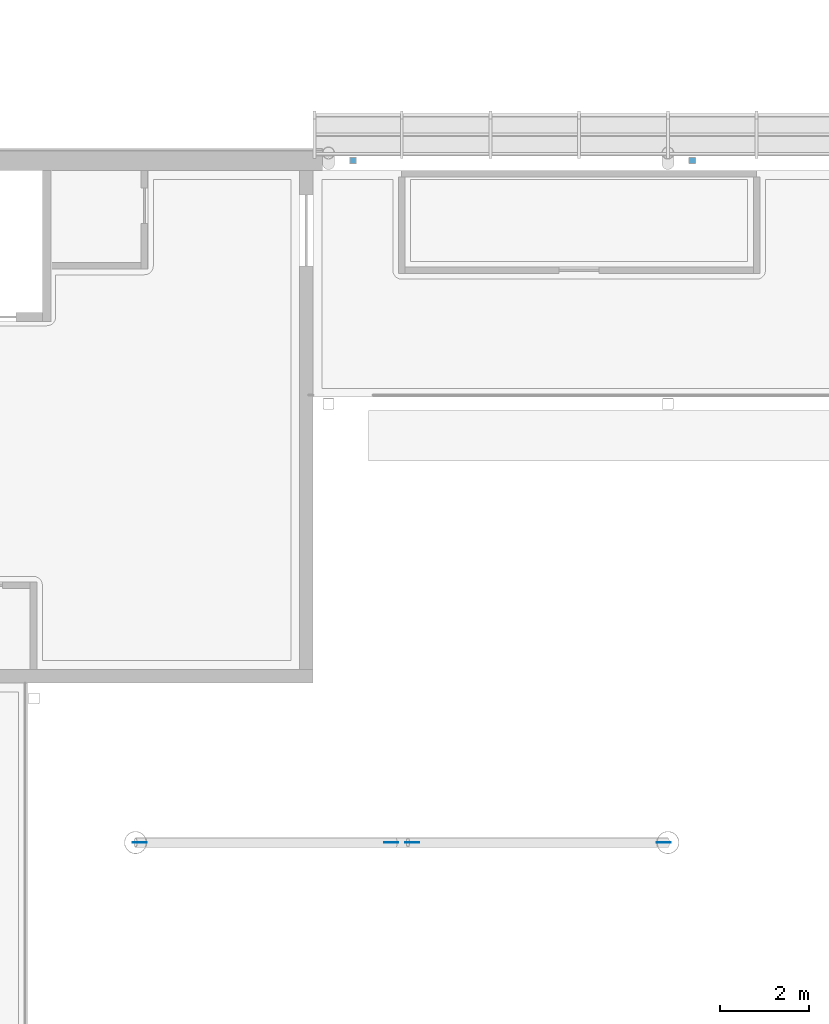
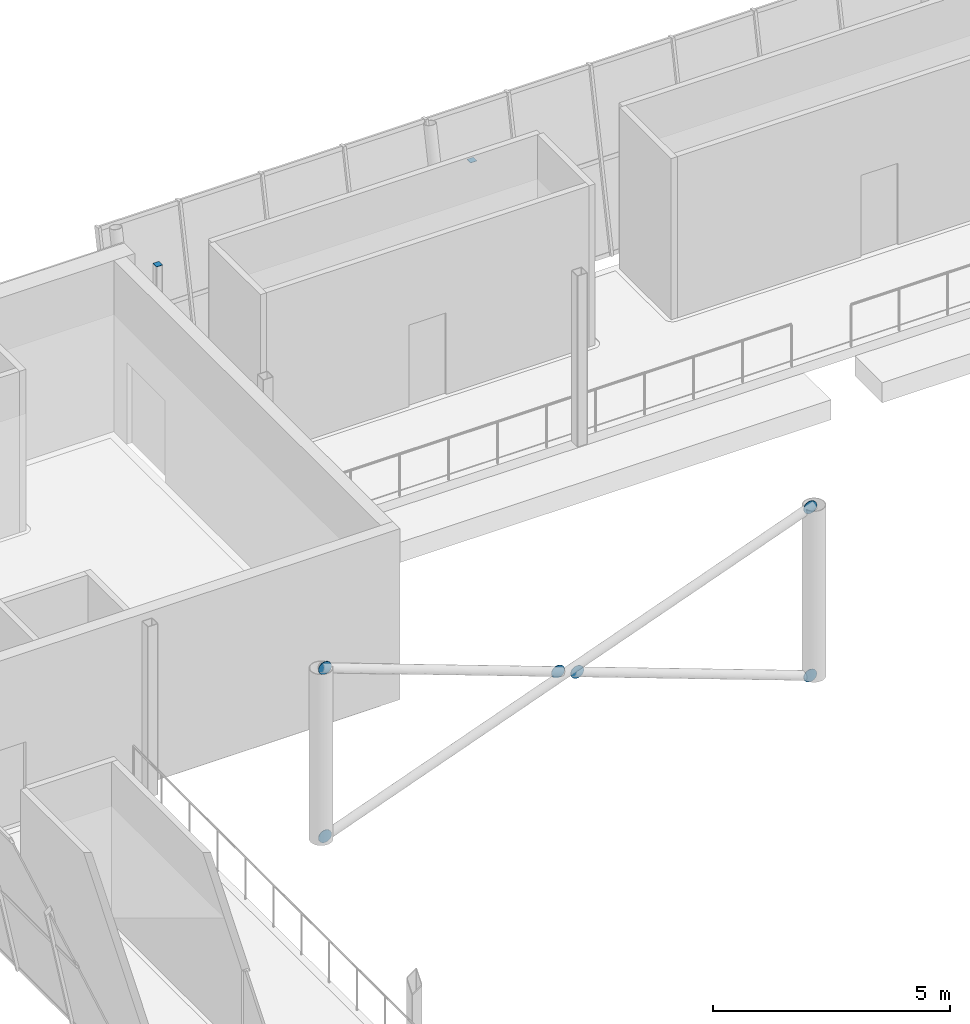
# One storey, part 86 of 115: 8 discrete accessories.
"""IFC4 building model written with IfcOpenShell, lengths in metres."""

from ifc_helpers import new_model, si_unit, direction, frame, origin, origin_2d, place, context, subcontext, project, spatial, rectangle, circle, extrude, material, layer, layer_set, type_object, element, save


model = new_model("IFC4")

# Units and contexts
model_context = context("Model", 3, precision=1e-05, world=origin(), true_north=direction((0.0, 1.0)))
body_context = subcontext(model_context, "Body", "Model", "MODEL_VIEW")
ifc_project = project(units=[si_unit("LENGTHUNIT", "METRE"), si_unit("AREAUNIT", "SQUARE_METRE"), si_unit("VOLUMEUNIT", "CUBIC_METRE"), si_unit("PLANEANGLEUNIT", "RADIAN"), si_unit("MASSUNIT", "GRAM", prefix="KILO")], contexts=[model_context])

# Site, building, storey
site_placement = place(None, origin())
site = spatial("IfcSite", under=ifc_project, at=site_placement, CompositionType="ELEMENT")
building_placement = place(site_placement, origin())
building = spatial("IfcBuilding", under=site, at=building_placement, Name="Windward Yard Aquatics Centre", CompositionType="ELEMENT")
storey_placement = place(building_placement, frame((0.0, 0.0, 5.0)))
storey = spatial("IfcBuildingStorey", under=building, at=storey_placement, Name="L01", CompositionType="ELEMENT", Elevation=5.0)

# Discrete accessories
ifc_material = material(Name="Steel S355", Category="steel")
ifc_layer_1 = layer(ifc_material, 0.010009765625)
ifc_layer_set_1 = layer_set([ifc_layer_1], Name="End cap plate 10 mm RHS152.4x152.4x12.7")
discrete_accessory_type_1 = type_object("IfcDiscreteAccessoryType", Name="End cap plate 10 mm RHS152.4x152.4x12.7", PredefinedType="USERDEFINED", material=ifc_layer_set_1)
for number, where, z_axis, x_axis, name in (
    (1, (64.89990234375, 95.77490234375, 3.742919921875), (0.0, 0.0, 1.0), (1.0, 0.0, 0.0), "End cap"),
    (2, (72.550048828125, 95.77490234375, 3.742919921875), (0.0, 0.0, 1.0), (1.0, 0.0, 0.0), "End cap"),
):
    element("IfcDiscreteAccessory", number, at=place(storey_placement, frame(where, z_axis=z_axis, x_axis=x_axis)), inside=storey, type_object=discrete_accessory_type_1, Name=name, ObjectType="END CAP", PredefinedType="USERDEFINED", context=body_context, shape_type="SweptSolid", body=[
        extrude(rectangle(XDim=0.15234375, YDim=0.15234375, at=origin_2d()), origin(), (0.0, 0.0, 1.0), 0.010009765625),
    ])
ifc_layer_2 = layer(ifc_material, 0.011962890625)
ifc_layer_set_2 = layer_set([ifc_layer_2], Name="Gusset plate 320 mm disc 12 mm")
discrete_accessory_type_2 = type_object("IfcDiscreteAccessoryType", Name="Gusset plate 320 mm disc 12 mm", PredefinedType="USERDEFINED", material=ifc_layer_set_2)
for number, where, z_axis, x_axis, name in (
    (3, (60.093994140625, 80.39404296875, 0.034423828125), (0.0, 1.0, 0.0), (-1.0, 0.0, 0.0), "Gusset plate"),
    (4, (71.906005859375, 80.39404296875, 4.365478515625), (0.0, 1.0, 0.0), (-1.0, 0.0, 0.0), "Gusset plate"),
    (5, (60.093994140625, 80.39404296875, 4.365478515625), (0.0, 1.0, 0.0), (-1.0, 0.0, 0.0), "Gusset plate"),
    (6, (65.765869140625, 80.39404296875, 2.285888671875), (0.0, 1.0, 0.0), (-1.0, 0.0, 0.0), "Gusset plate"),
    (7, (66.234130859375, 80.39404296875, 2.114013671875), (0.0, 1.0, 0.0), (-1.0, 0.0, 0.0), "Gusset plate"),
    (8, (71.906005859375, 80.39404296875, 0.034423828125), (0.0, 1.0, 0.0), (-1.0, 0.0, 0.0), "Gusset plate"),
):
    element("IfcDiscreteAccessory", number, at=place(storey_placement, frame(where, z_axis=z_axis, x_axis=x_axis)), inside=storey, type_object=discrete_accessory_type_2, Name=name, ObjectType="GUSSET PLATE", PredefinedType="USERDEFINED", context=body_context, shape_type="SweptSolid", body=[
        extrude(circle(Radius=0.159912109375, at=origin_2d()), origin(), (0.0, 0.0, 1.0), 0.011962890625),
    ])

save(model, "model.ifc")
